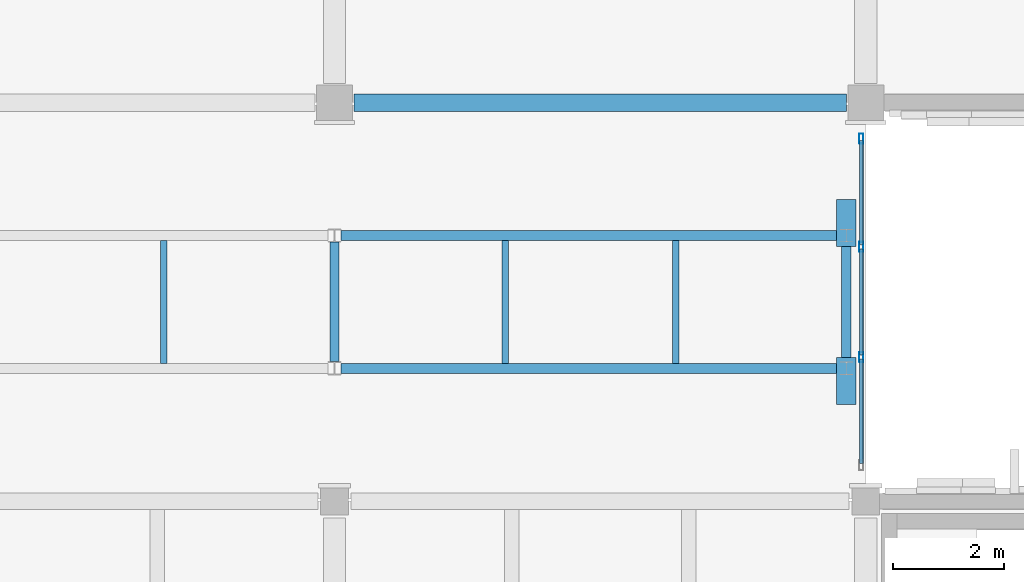
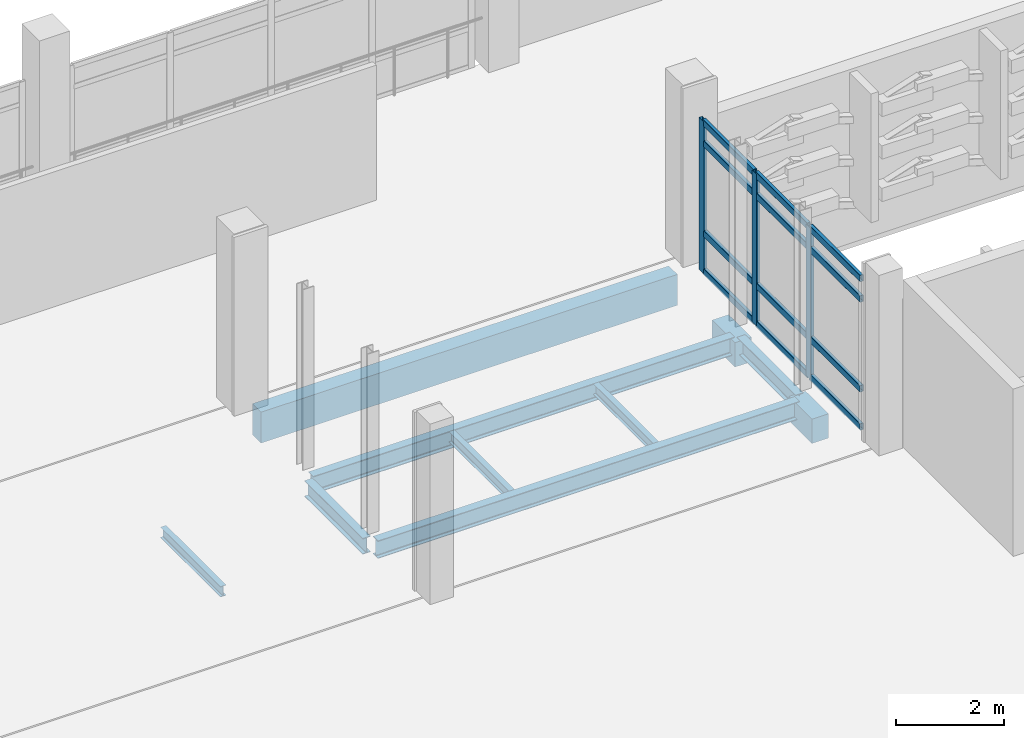
# One storey, part 18 of 72: 15 members, 10 beams, 1 element without a shape of its own.
"""IFC4 building model written with IfcOpenShell, lengths in metres."""

from ifc_helpers import new_model, si_unit, direction, frame, origin, origin_2d, place, context, subcontext, project, spatial, rectangle, hollow_rectangle, i_section, extrude, material, layer, layer_set, material_profile, profile_set, type_object, element, aggregate, save


model = new_model("IFC4")

# Units and contexts
model_context = context("Model", 3, precision=1e-05, world=origin(), true_north=direction((0.0, 1.0)))
body_context = subcontext(model_context, "Body", "Model", "MODEL_VIEW")
ifc_project = project(units=[si_unit("LENGTHUNIT", "METRE"), si_unit("AREAUNIT", "SQUARE_METRE"), si_unit("VOLUMEUNIT", "CUBIC_METRE"), si_unit("PLANEANGLEUNIT", "RADIAN"), si_unit("MASSUNIT", "GRAM", prefix="KILO")], contexts=[model_context])

# Site, building, storey
site_placement = place(None, origin())
site = spatial("IfcSite", under=ifc_project, at=site_placement, CompositionType="ELEMENT")
building_placement = place(site_placement, origin())
building = spatial("IfcBuilding", under=site, at=building_placement, Name="Asteropetra Specialist Clinic", CompositionType="ELEMENT")
storey_placement = place(building_placement, frame((0.0, 0.0, 12.580078125)))
storey = spatial("IfcBuildingStorey", under=building, at=storey_placement, Name="L03", CompositionType="ELEMENT", Elevation=12.580078125)

# Beams
ifc_material_1 = material(Name="Concrete C35/45", Category="concrete")
ifc_material_profile_1 = material_profile(ifc_material_1, rectangle(XDim=0.35009765625, YDim=0.550048828125, at=origin_2d()), Name="RCB 350x550")
ifc_profile_set_1 = profile_set([ifc_material_profile_1], Name="Concrete C35/45")
beam_type_1 = type_object("IfcBeamType", Name="BM-RC350x550", PredefinedType="BEAM", material=ifc_profile_set_1)
for number, where, z_axis, x_axis, name in (
    (1, (28.449951171875, 65.0, -0.56005859375), (0.0, -1.0, 0.0), (1.0, 0.0, 0.0), "Bridge Bearing Seat Corbel CRB-19"),
    (2, (28.449951171875, 67.0, -0.56005859375), (0.0, 1.0, 0.0), (-1.0, 0.0, 0.0), "Bridge Bearing Seat Corbel CRB-20"),
):
    element("IfcBeam", number, at=place(storey_placement, frame(where, z_axis=z_axis, x_axis=x_axis)), inside=storey, type_object=beam_type_1, Name=name, PredefinedType="BEAM", context=body_context, shape_type="SweptSolid", body=[
        extrude(rectangle(XDim=0.35009765625, YDim=0.550048828125, at=origin_2d()), origin(), (0.0, 0.0, 1.0), 0.85009765625),
    ])
ifc_material_2 = material(Name="Steel S355", Category="steel")
ifc_material_profile_2 = material_profile(ifc_material_2, i_section(OverallWidth=0.169921875, OverallDepth=0.360107421875, WebThickness=0.008056640625, FlangeThickness=0.0126953125, FilletRadius=0.01806640625, at=origin_2d()), Name="IPE 360")
ifc_profile_set_2 = profile_set([ifc_material_profile_2], Name="Steel S355")
beam_type_2 = type_object("IfcBeamType", Name="BM-STL-IPE360", PredefinedType="BEAM", material=ifc_profile_set_2)
for number, where, z_axis, x_axis, name in (
    (3, (19.199951171875, 64.919921875, -0.420166015625), (0.0, 1.0, 0.0), (-1.0, 0.0, 0.0), "Beam BBMS4-1666"),
    (4, (28.449951171875, 64.919921875, -0.420166015625), (0.0, 1.0, 0.0), (-1.0, 0.0, 0.0), "Beam BBMS4-1667"),
):
    element("IfcBeam", number, at=place(storey_placement, frame(where, z_axis=z_axis, x_axis=x_axis)), inside=storey, type_object=beam_type_2, Name=name, PredefinedType="BEAM", context=body_context, shape_type="SweptSolid", body=[
        extrude(i_section(OverallWidth=0.169921875, OverallDepth=0.360107421875, WebThickness=0.008056640625, FlangeThickness=0.0126953125, FilletRadius=0.01806640625, at=origin_2d()), origin(), (0.0, 0.0, 1.0), 2.16015625),
    ])
ifc_material_3 = material(Name="Steel S355", Category="steel")
ifc_material_profile_3 = material_profile(ifc_material_3, i_section(OverallWidth=0.179931640625, OverallDepth=0.39990234375, WebThickness=0.008544921875, FlangeThickness=0.013427734375, FilletRadius=0.02099609375, at=origin_2d()), Name="IPE 400")
ifc_profile_set_3 = profile_set([ifc_material_profile_3], Name="Steel S355")
beam_type_3 = type_object("IfcBeamType", Name="BM-STL-IPE400", PredefinedType="BEAM", material=ifc_profile_set_3)
for number, where, z_axis, x_axis, name in (
    (5, (19.320068359375, 64.800048828125, -0.440185546875), (1.0, 0.0, 0.0), (0.0, 1.0, 0.0), "Beam BBMS3-1662"),
    (6, (19.320068359375, 67.199951171875, -0.440185546875), (1.0, 0.0, 0.0), (0.0, 1.0, 0.0), "Beam BBMS3-1664"),
):
    element("IfcBeam", number, at=place(storey_placement, frame(where, z_axis=z_axis, x_axis=x_axis)), inside=storey, type_object=beam_type_3, Name=name, PredefinedType="BEAM", context=body_context, shape_type="SweptSolid", body=[
        extrude(i_section(OverallWidth=0.179931640625, OverallDepth=0.39990234375, WebThickness=0.008544921875, FlangeThickness=0.013427734375, FilletRadius=0.02099609375, at=origin_2d()), origin(), (0.0, 0.0, 1.0), 9.010009765625),
    ])

# Curtain wall, members
ifc_material_4 = material(Name="Aluminium and low-E glass", Category="aluminium")
ifc_layer = layer(ifc_material_4, 0.135009765625)
ifc_layer_set = layer_set([ifc_layer], Name="Aluminium and low-E glass")
curtain_wall_type = type_object("IfcCurtainWallType", Name="CW-SYS-09", PredefinedType="USERDEFINED", material=ifc_layer_set)
curtain_wall_placement = place(storey_placement, origin())
curtain_wall = element("IfcCurtainWall", 7, at=curtain_wall_placement, inside=storey, type_object=curtain_wall_type, Name="Curtain Wall CW-108", ObjectType="STICK GLAZED COLONNADE", PredefinedType="USERDEFINED")
ifc_material_5 = material(Name="Aluminium 6063-T6", Category="aluminium")
ifc_material_profile_4 = material_profile(ifc_material_5, hollow_rectangle(XDim=0.074951171875, YDim=0.179931640625, WallThickness=0.00390625, InnerFilletRadius=0.00390625, OuterFilletRadius=0.008056640625, at=origin_2d()), Name="MUL 180x75x4.0")
ifc_profile_set_4 = profile_set([ifc_material_profile_4], Name="Aluminium 6063-T6")
member_type_1 = type_object("IfcMemberType", Name="CWM-180x75", PredefinedType="MULLION", material=ifc_profile_set_4)
member_1_placement = place(storey_placement, frame((28.719970703125, 68.952392578125, 0.0), z_axis=(0.0, 0.0, 1.0), x_axis=(1.0, 0.0, 0.0)))
member_1 = element("IfcMember", 8, at=member_1_placement, type_object=member_type_1, Name="CW-108 mullion 1", PredefinedType="MULLION", context=body_context, shape_type="SweptSolid", body=[
    extrude(hollow_rectangle(XDim=0.074951171875, YDim=0.179931640625, WallThickness=0.00390625, InnerFilletRadius=0.00390625, OuterFilletRadius=0.008056640625, at=origin_2d()), origin(), (0.0, 0.0, 1.0), 3.429931640625),
])
member_2_placement = place(storey_placement, frame((28.719970703125, 66.99658203125, 0.0), z_axis=(0.0, 0.0, 1.0), x_axis=(1.0, 0.0, 0.0)))
member_2 = element("IfcMember", 9, at=member_2_placement, type_object=member_type_1, Name="CW-108 mullion 2", PredefinedType="MULLION", context=body_context, shape_type="SweptSolid", body=[
    extrude(hollow_rectangle(XDim=0.074951171875, YDim=0.179931640625, WallThickness=0.00390625, InnerFilletRadius=0.00390625, OuterFilletRadius=0.008056640625, at=origin_2d()), origin(), (0.0, 0.0, 1.0), 3.429931640625),
])
member_3_placement = place(storey_placement, frame((28.719970703125, 65.00341796875, 0.0), z_axis=(0.0, 0.0, 1.0), x_axis=(1.0, 0.0, 0.0)))
member_3 = element("IfcMember", 10, at=member_3_placement, type_object=member_type_1, Name="CW-108 mullion 3", PredefinedType="MULLION", context=body_context, shape_type="SweptSolid", body=[
    extrude(hollow_rectangle(XDim=0.074951171875, YDim=0.179931640625, WallThickness=0.00390625, InnerFilletRadius=0.00390625, OuterFilletRadius=0.008056640625, at=origin_2d()), origin(), (0.0, 0.0, 1.0), 3.429931640625),
])
ifc_material_6 = material(Name="Aluminium 6063-T6", Category="aluminium")
ifc_material_profile_5 = material_profile(ifc_material_6, hollow_rectangle(XDim=0.074951171875, YDim=0.14990234375, WallThickness=0.00390625, InnerFilletRadius=0.00390625, OuterFilletRadius=0.008056640625, at=origin_2d()), Name="TRN 150x75x4.0")
ifc_profile_set_5 = profile_set([ifc_material_profile_5], Name="Aluminium 6063-T6")
member_type_2 = type_object("IfcMemberType", Name="CWT-150x75", PredefinedType="USERDEFINED", material=ifc_profile_set_5)
member_4_placement = place(storey_placement, frame((28.719970703125, 68.9150390625, 0.037353515625), z_axis=(0.0, -1.0, 0.0), x_axis=(1.0, 0.0, 0.0)))
member_4 = element("IfcMember", 11, at=member_4_placement, type_object=member_type_2, Name="CW-108 transom 1.1", ObjectType="TRANSOM", PredefinedType="USERDEFINED", context=body_context, shape_type="SweptSolid", body=[
    extrude(hollow_rectangle(XDim=0.074951171875, YDim=0.14990234375, WallThickness=0.00390625, InnerFilletRadius=0.00390625, OuterFilletRadius=0.008056640625, at=origin_2d()), origin(), (0.0, 0.0, 1.0), 1.880859375),
])
member_5_placement = place(storey_placement, frame((28.719970703125, 68.9150390625, 0.89990234375), z_axis=(0.0, -1.0, 0.0), x_axis=(1.0, 0.0, 0.0)))
member_5 = element("IfcMember", 12, at=member_5_placement, type_object=member_type_2, Name="CW-108 transom 1.2", ObjectType="TRANSOM", PredefinedType="USERDEFINED", context=body_context, shape_type="SweptSolid", body=[
    extrude(hollow_rectangle(XDim=0.074951171875, YDim=0.14990234375, WallThickness=0.00390625, InnerFilletRadius=0.00390625, OuterFilletRadius=0.008056640625, at=origin_2d()), origin(), (0.0, 0.0, 1.0), 1.880859375),
])
member_6_placement = place(storey_placement, frame((28.719970703125, 68.9150390625, 2.929931640625), z_axis=(0.0, -1.0, 0.0), x_axis=(1.0, 0.0, 0.0)))
member_6 = element("IfcMember", 13, at=member_6_placement, type_object=member_type_2, Name="CW-108 transom 1.3", ObjectType="TRANSOM", PredefinedType="USERDEFINED", context=body_context, shape_type="SweptSolid", body=[
    extrude(hollow_rectangle(XDim=0.074951171875, YDim=0.14990234375, WallThickness=0.00390625, InnerFilletRadius=0.00390625, OuterFilletRadius=0.008056640625, at=origin_2d()), origin(), (0.0, 0.0, 1.0), 1.880859375),
])
member_7_placement = place(storey_placement, frame((28.719970703125, 68.9150390625, 3.392333984375), z_axis=(0.0, -1.0, 0.0), x_axis=(1.0, 0.0, 0.0)))
member_7 = element("IfcMember", 14, at=member_7_placement, type_object=member_type_2, Name="CW-108 transom 1.4", ObjectType="TRANSOM", PredefinedType="USERDEFINED", context=body_context, shape_type="SweptSolid", body=[
    extrude(hollow_rectangle(XDim=0.074951171875, YDim=0.14990234375, WallThickness=0.00390625, InnerFilletRadius=0.00390625, OuterFilletRadius=0.008056640625, at=origin_2d()), origin(), (0.0, 0.0, 1.0), 1.880859375),
])
member_8_placement = place(storey_placement, frame((28.719970703125, 66.959228515625, 0.037353515625), z_axis=(0.0, -1.0, 0.0), x_axis=(1.0, 0.0, 0.0)))
member_8 = element("IfcMember", 15, at=member_8_placement, type_object=member_type_2, Name="CW-108 transom 2.1", ObjectType="TRANSOM", PredefinedType="USERDEFINED", context=body_context, shape_type="SweptSolid", body=[
    extrude(hollow_rectangle(XDim=0.074951171875, YDim=0.14990234375, WallThickness=0.00390625, InnerFilletRadius=0.00390625, OuterFilletRadius=0.008056640625, at=origin_2d()), origin(), (0.0, 0.0, 1.0), 1.91845703125),
])
member_9_placement = place(storey_placement, frame((28.719970703125, 66.959228515625, 0.89990234375), z_axis=(0.0, -1.0, 0.0), x_axis=(1.0, 0.0, 0.0)))
member_9 = element("IfcMember", 16, at=member_9_placement, type_object=member_type_2, Name="CW-108 transom 2.2", ObjectType="TRANSOM", PredefinedType="USERDEFINED", context=body_context, shape_type="SweptSolid", body=[
    extrude(hollow_rectangle(XDim=0.074951171875, YDim=0.14990234375, WallThickness=0.00390625, InnerFilletRadius=0.00390625, OuterFilletRadius=0.008056640625, at=origin_2d()), origin(), (0.0, 0.0, 1.0), 1.91845703125),
])
member_10_placement = place(storey_placement, frame((28.719970703125, 66.959228515625, 2.929931640625), z_axis=(0.0, -1.0, 0.0), x_axis=(1.0, 0.0, 0.0)))
member_10 = element("IfcMember", 17, at=member_10_placement, type_object=member_type_2, Name="CW-108 transom 2.3", ObjectType="TRANSOM", PredefinedType="USERDEFINED", context=body_context, shape_type="SweptSolid", body=[
    extrude(hollow_rectangle(XDim=0.074951171875, YDim=0.14990234375, WallThickness=0.00390625, InnerFilletRadius=0.00390625, OuterFilletRadius=0.008056640625, at=origin_2d()), origin(), (0.0, 0.0, 1.0), 1.91845703125),
])
member_11_placement = place(storey_placement, frame((28.719970703125, 66.959228515625, 3.392333984375), z_axis=(0.0, -1.0, 0.0), x_axis=(1.0, 0.0, 0.0)))
member_11 = element("IfcMember", 18, at=member_11_placement, type_object=member_type_2, Name="CW-108 transom 2.4", ObjectType="TRANSOM", PredefinedType="USERDEFINED", context=body_context, shape_type="SweptSolid", body=[
    extrude(hollow_rectangle(XDim=0.074951171875, YDim=0.14990234375, WallThickness=0.00390625, InnerFilletRadius=0.00390625, OuterFilletRadius=0.008056640625, at=origin_2d()), origin(), (0.0, 0.0, 1.0), 1.91845703125),
])
member_12_placement = place(storey_placement, frame((28.719970703125, 64.9658203125, 0.037353515625), z_axis=(0.0, -1.0, 0.0), x_axis=(1.0, 0.0, 0.0)))
member_12 = element("IfcMember", 19, at=member_12_placement, type_object=member_type_2, Name="CW-108 transom 3.1", ObjectType="TRANSOM", PredefinedType="USERDEFINED", context=body_context, shape_type="SweptSolid", body=[
    extrude(hollow_rectangle(XDim=0.074951171875, YDim=0.14990234375, WallThickness=0.00390625, InnerFilletRadius=0.00390625, OuterFilletRadius=0.008056640625, at=origin_2d()), origin(), (0.0, 0.0, 1.0), 1.880859375),
])
member_13_placement = place(storey_placement, frame((28.719970703125, 64.9658203125, 0.89990234375), z_axis=(0.0, -1.0, 0.0), x_axis=(1.0, 0.0, 0.0)))
member_13 = element("IfcMember", 20, at=member_13_placement, type_object=member_type_2, Name="CW-108 transom 3.2", ObjectType="TRANSOM", PredefinedType="USERDEFINED", context=body_context, shape_type="SweptSolid", body=[
    extrude(hollow_rectangle(XDim=0.074951171875, YDim=0.14990234375, WallThickness=0.00390625, InnerFilletRadius=0.00390625, OuterFilletRadius=0.008056640625, at=origin_2d()), origin(), (0.0, 0.0, 1.0), 1.880859375),
])
member_14_placement = place(storey_placement, frame((28.719970703125, 64.9658203125, 2.929931640625), z_axis=(0.0, -1.0, 0.0), x_axis=(1.0, 0.0, 0.0)))
member_14 = element("IfcMember", 21, at=member_14_placement, type_object=member_type_2, Name="CW-108 transom 3.3", ObjectType="TRANSOM", PredefinedType="USERDEFINED", context=body_context, shape_type="SweptSolid", body=[
    extrude(hollow_rectangle(XDim=0.074951171875, YDim=0.14990234375, WallThickness=0.00390625, InnerFilletRadius=0.00390625, OuterFilletRadius=0.008056640625, at=origin_2d()), origin(), (0.0, 0.0, 1.0), 1.880859375),
])
member_15_placement = place(storey_placement, frame((28.719970703125, 64.9658203125, 3.392333984375), z_axis=(0.0, -1.0, 0.0), x_axis=(1.0, 0.0, 0.0)))
member_15 = element("IfcMember", 22, at=member_15_placement, type_object=member_type_2, Name="CW-108 transom 3.4", ObjectType="TRANSOM", PredefinedType="USERDEFINED", context=body_context, shape_type="SweptSolid", body=[
    extrude(hollow_rectangle(XDim=0.074951171875, YDim=0.14990234375, WallThickness=0.00390625, InnerFilletRadius=0.00390625, OuterFilletRadius=0.008056640625, at=origin_2d()), origin(), (0.0, 0.0, 1.0), 1.880859375),
])
aggregate(curtain_wall, [member_1, member_2, member_3, member_4, member_5, member_6, member_7, member_8, member_9, member_10, member_11, member_12, member_13, member_14, member_15])

# Beams
ifc_material_7 = material(Name="Steel S355", Category="steel")
ifc_material_profile_6 = material_profile(ifc_material_7, i_section(OverallWidth=0.1201171875, OverallDepth=0.239990234375, WebThickness=0.006103515625, FlangeThickness=0.009765625, FilletRadius=0.014892578125, at=origin_2d()), Name="IPE 240")
ifc_profile_set_6 = profile_set([ifc_material_profile_6], Name="Steel S355")
beam_type_4 = type_object("IfcBeamType", Name="JST-STL-IPE240", PredefinedType="JOIST", material=ifc_profile_set_6)
for number, where, z_axis, x_axis, name in (
    (23, (16.11669921875, 64.889892578125, -0.360107421875), (0.0, 1.0, 0.0), (-1.0, 0.0, 0.0), "Joist JJSTS1-1669"),
    (24, (22.283203125, 64.889892578125, -0.360107421875), (0.0, 1.0, 0.0), (-1.0, 0.0, 0.0), "Joist JJSTS1-1670"),
    (25, (25.36669921875, 64.889892578125, -0.360107421875), (0.0, 1.0, 0.0), (-1.0, 0.0, 0.0), "Joist JJSTS1-1671"),
):
    element("IfcBeam", number, at=place(storey_placement, frame(where, z_axis=z_axis, x_axis=x_axis)), inside=storey, type_object=beam_type_4, Name=name, PredefinedType="JOIST", context=body_context, shape_type="SweptSolid", body=[
        extrude(i_section(OverallWidth=0.1201171875, OverallDepth=0.239990234375, WebThickness=0.006103515625, FlangeThickness=0.009765625, FilletRadius=0.014892578125, at=origin_2d()), origin(), (0.0, 0.0, 1.0), 2.22021484375),
    ])
ifc_material_8 = material(Name="Concrete C35/45", Category="concrete")
ifc_material_profile_7 = material_profile(ifc_material_8, rectangle(XDim=0.320068359375, YDim=0.699951171875, at=origin_2d()), Name="RCS 320x700")
ifc_profile_set_7 = profile_set([ifc_material_profile_7], Name="Concrete C35/45")
beam_type_5 = type_object("IfcBeamType", Name="SPN-RC320x700", PredefinedType="SPANDREL", material=ifc_profile_set_7)
beam_placement = place(storey_placement, frame((19.550048828125, 69.60009765625, -0.630126953125), z_axis=(1.0, 0.0, 0.0), x_axis=(0.0, 1.0, 0.0)))
element("IfcBeam", 26, at=beam_placement, inside=storey, type_object=beam_type_5, Name="Beam BSPN02-1569", PredefinedType="SPANDREL", context=body_context, shape_type="SweptSolid", body=[
    extrude(rectangle(XDim=0.320068359375, YDim=0.699951171875, at=origin_2d()), origin(), (0.0, 0.0, 1.0), 8.89990234375),
])

save(model, "model.ifc")
